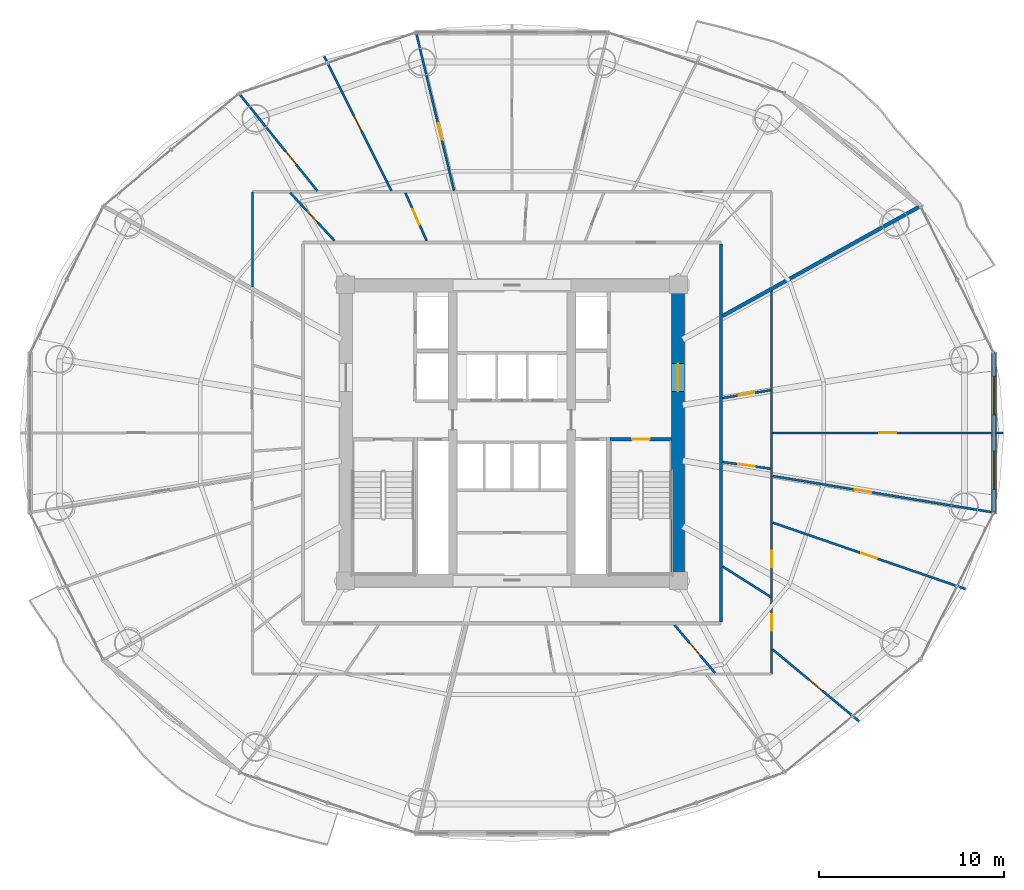
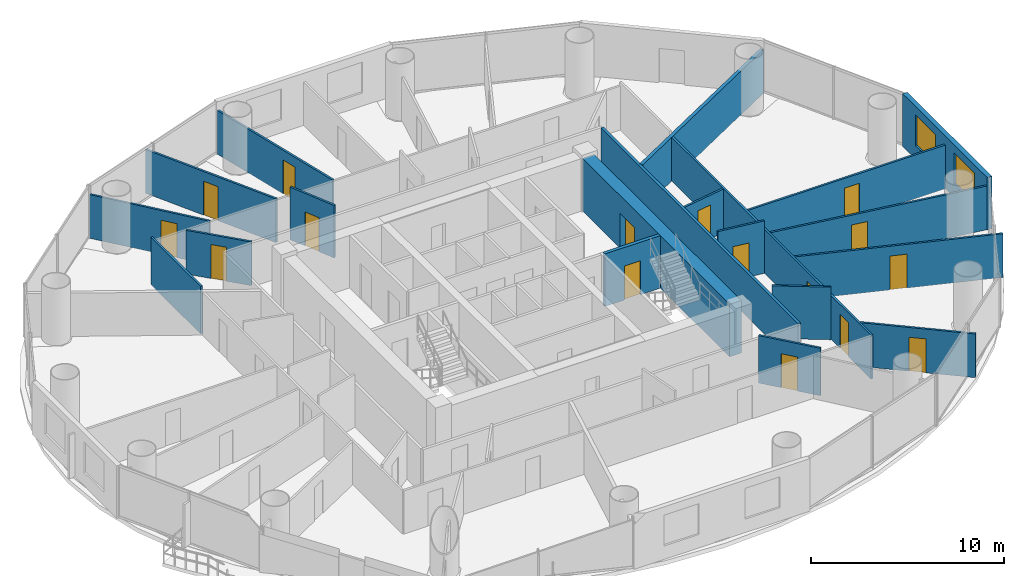
# One storey, part 24 of 29: 20 walls, 16 doors, 2 windows, 18 openings.
"""IFC4 building model written with IfcOpenShell, lengths in metres."""

from ifc_helpers import new_model, si_unit, direction, frame, frame_2d, origin, place, context, subcontext, project, spatial, rectangle, extrude, source, transform, mapped, material, layer, layer_set, type_object, element, fill, save


model = new_model("IFC4")

# Units and contexts
model_context = context("Model", 3, precision=1e-05, world=origin(), true_north=direction((-0.2419218956, 0.970295726276)))
body_context = subcontext(model_context, "Body", "Model", "MODEL_VIEW")
ifc_project = project(units=[si_unit("LENGTHUNIT", "METRE"), si_unit("AREAUNIT", "SQUARE_METRE"), si_unit("VOLUMEUNIT", "CUBIC_METRE"), si_unit("PLANEANGLEUNIT", "RADIAN"), si_unit("MASSUNIT", "GRAM", prefix="KILO")], contexts=[model_context])

# Site, building, storey
site_placement = place(None, origin())
site = spatial("IfcSite", under=ifc_project, at=site_placement, CompositionType="ELEMENT")
building_placement = place(site_placement, origin())
building = spatial("IfcBuilding", under=site, at=building_placement, Name="Cobrevalo Terracotta Tower", CompositionType="ELEMENT")
storey_placement = place(building_placement, frame((0.0, 0.0, 90.60009765625)))
storey = spatial("IfcBuildingStorey", under=building, at=storey_placement, Name="L23", CompositionType="ELEMENT", Elevation=90.60009765625)

# Wall, opening, door
ifc_material_1 = material(Name="Concrete C60", Category="concrete")
ifc_layer_1 = layer(ifc_material_1, 0.699951171875)
ifc_layer_set_1 = layer_set([ifc_layer_1], Name="Concrete C60")
wall_type_1 = type_object("IfcWallType", Name="Core shear wall 700 mm Concrete C60", PredefinedType="SHEAR", material=ifc_layer_set_1)
wall_1_placement = place(storey_placement, frame((46.97509765625, 19.175048828125, 0.0), z_axis=(0.0, 0.0, 1.0), x_axis=(0.0, 1.0, 0.0)))
wall_1 = element("IfcWall", 1, at=wall_1_placement, inside=storey, type_object=wall_type_1, Name="L23 east core shear wall", PredefinedType="SHEAR", context=body_context, shape_type="SweptSolid", body=[
    extrude(rectangle(XDim=15.25, YDim=0.699951171875, at=frame_2d((7.625, 0.0))), origin(), (0.0, 0.0, 1.0), 3.324951171875),
])
opening_1_placement = place(wall_1_placement, frame((9.875, 0.0, 0.0)))
opening_1 = element("IfcOpeningElement", 2, at=opening_1_placement, cuts=wall_1, Name="Opening ID-14", PredefinedType="OPENING", context=body_context, shape_type="SweptSolid", body=[
    extrude(rectangle(XDim=1.5, YDim=2.199951171875, at=frame_2d((0.75, 1.10009765625))), frame((0.0, 0.35986328125, 0.0), z_axis=(0.0, -1.0, 0.0), x_axis=(1.0, 0.0, 0.0)), (0.0, 0.0, 1.0), 0.719970703125),
])
ifc_material_2 = material(Name="Galvanized fire-rated steel", Category="steel")
door_type_1 = type_object("IfcDoorType", Name="Core cross-lobby double fire door 1500x2200 EI 90", OperationType="NOTDEFINED", PredefinedType="DOOR", material=ifc_material_2)
shared_shape_1 = source(origin(), body_context, "Body", "SweptSolid", [
    extrude(rectangle(XDim=1.5, YDim=2.199951171875, at=frame_2d((0.75, 1.10009765625))), frame((0.0, 0.02490234375, 0.0), z_axis=(0.0, -1.0, 0.0), x_axis=(1.0, 0.0, 0.0)), (0.0, 0.0, 1.0), 0.050048828125),
])
door_1_placement = place(opening_1_placement, frame((1.5, 0.0, 0.0), z_axis=(0.0, 0.0, 1.0), x_axis=(-1.0, 0.0, 0.0)))
door_1 = element("IfcDoor", 3, at=door_1_placement, inside=storey, type_object=door_type_1, Name="L23 east firefighting lobby entrance door", OperationType="DOUBLE_DOOR_SINGLE_SWING", OverallHeight=2.199951171875, OverallWidth=1.5, PredefinedType="DOOR", context=body_context, shape_type="MappedRepresentation", body=[
    mapped(shared_shape_1, transform((0.0, 0.0, 0.0), scale=1.0)),
])
fill(opening_1, door_1)

# Walls
ifc_material_3 = material(Name="Gypsum board on steel stud", Category="steel")
ifc_layer_2 = layer(ifc_material_3, 0.159912109375)
ifc_layer_set_2 = layer_set([ifc_layer_2], Name="Gypsum board on steel stud")
wall_type_2 = type_object("IfcWallType", Name="Fire-rated corridor acoustic partition wall 160 mm", PredefinedType="PARTITIONING", material=ifc_layer_set_2)
wall_2_placement = place(storey_placement, frame((49.304931640625, 16.574951171875, 0.0), z_axis=(0.0, 0.0, 1.0), x_axis=(0.0, 1.0, 0.0)))
element("IfcWall", 4, at=wall_2_placement, inside=storey, type_object=wall_type_2, Name="L23 interior partition IW-L23-COR-E", PredefinedType="PARTITIONING", context=body_context, shape_type="SweptSolid", body=[
    extrude(rectangle(XDim=20.449951171875, YDim=0.159912109375, at=frame_2d((10.22509765625, 0.0))), origin(), (0.0, 0.0, 1.0), 2.766845703125),
])
ifc_material_4 = material(Name="Autoclaved aerated concrete block", Category="concrete")
ifc_layer_3 = layer(ifc_material_4, 0.199951171875)
ifc_layer_set_3 = layer_set([ifc_layer_3], Name="Autoclaved aerated concrete block")
wall_type_3 = type_object("IfcWallType", Name="Fire-rated stair, shaft & demising masonry wall 200 mm", PredefinedType="PARTITIONING", material=ifc_layer_set_3)
wall_3_placement = place(storey_placement, frame((49.38671875, 33.121337890625, 0.0), z_axis=(0.0, 0.0, 1.0), x_axis=(0.874320165728, 0.485349613992, 0.0)))
element("IfcWall", 5, at=wall_3_placement, inside=storey, type_object=wall_type_3, Name="L23 interior partition IW-L23-DEM-1", PredefinedType="PARTITIONING", context=body_context, shape_type="SweptSolid", body=[
    extrude(rectangle(XDim=12.156494140625, YDim=0.199951171875, at=frame_2d((6.078125, 0.0))), origin(), (0.0, 0.0, 1.0), 2.766845703125),
])

# Wall, openings, windows
ifc_layer_4 = layer(ifc_material_4, 0.280029296875)
ifc_layer_set_4 = layer_set([ifc_layer_4], Name="Autoclaved aerated concrete block")
wall_type_4 = type_object("IfcWallType", Name="Insulated tower spandrel & pier wall 280 mm with terracotta rainscreen", PredefinedType="SOLIDWALL", material=ifc_layer_set_4)
wall_4_placement = place(storey_placement, frame((64.0595703125, 22.414306640625, 0.0), z_axis=(0.0, 0.0, 1.0), x_axis=(0.0, 1.0, 0.0)))
wall_4 = element("IfcWall", 6, at=wall_4_placement, inside=storey, type_object=wall_type_4, Name="L23 terracotta rainscreen pier wall S16", PredefinedType="SOLIDWALL", context=body_context, shape_type="SweptSolid", body=[
    extrude(rectangle(XDim=8.771240234375, YDim=0.280029296875, at=frame_2d((4.3857421875, 0.0))), origin(), (0.0, 0.0, 1.0), 3.324951171875),
])
opening_2_placement = place(wall_4_placement, frame((1.318115234375, 0.0, 0.85009765625)))
opening_2 = element("IfcOpeningElement", 7, at=opening_2_placement, cuts=wall_4, Name="Opening WN-10", PredefinedType="OPENING", context=body_context, shape_type="SweptSolid", body=[
    extrude(rectangle(XDim=2.10009765625, YDim=1.949951171875, at=frame_2d((1.050048828125, 0.97509765625))), frame((0.0, 0.14990234375, 0.0), z_axis=(0.0, -1.0, 0.0), x_axis=(1.0, 0.0, 0.0)), (0.0, 0.0, 1.0), 0.300048828125),
])
opening_3_placement = place(wall_4_placement, frame((5.35302734375, 0.0, 0.85009765625)))
opening_3 = element("IfcOpeningElement", 8, at=opening_3_placement, cuts=wall_4, Name="Opening WN-10", PredefinedType="OPENING", context=body_context, shape_type="SweptSolid", body=[
    extrude(rectangle(XDim=2.10009765625, YDim=1.949951171875, at=frame_2d((1.050048828125, 0.97509765625))), frame((0.0, 0.14990234375, 0.0), z_axis=(0.0, -1.0, 0.0), x_axis=(1.0, 0.0, 0.0)), (0.0, 0.0, 1.0), 0.300048828125),
])
ifc_material_5 = material(Name="Solar-control low-E double glazing", Category="glass")
window_type = type_object("IfcWindowType", Name="Wide panoramic low-E aluminium window 2100x1950", PartitioningType="SINGLE_PANEL", PredefinedType="WINDOW", material=ifc_material_5)
shared_shape_2 = source(origin(), body_context, "Body", "SweptSolid", [
    extrude(rectangle(XDim=2.10009765625, YDim=1.949951171875, at=frame_2d((1.050048828125, 0.97509765625))), frame((0.0, 0.030029296875, 0.0), z_axis=(0.0, -1.0, 0.0), x_axis=(1.0, 0.0, 0.0)), (0.0, 0.0, 1.0), 0.06005859375),
])
window_1_placement = place(opening_2_placement, origin())
window_1 = element("IfcWindow", 9, at=window_1_placement, inside=storey, type_object=window_type, Name="L23 suite window S16A", OverallHeight=1.949951171875, OverallWidth=2.10009765625, PartitioningType="SINGLE_PANEL", PredefinedType="WINDOW", context=body_context, shape_type="MappedRepresentation", body=[
    mapped(shared_shape_2, transform((0.0, 0.0, 0.0), scale=1.0)),
])
fill(opening_2, window_1)
window_2_placement = place(opening_3_placement, origin())
window_2 = element("IfcWindow", 10, at=window_2_placement, inside=storey, type_object=window_type, Name="L23 suite window S16B", OverallHeight=1.949951171875, OverallWidth=2.10009765625, PartitioningType="SINGLE_PANEL", PredefinedType="WINDOW", context=body_context, shape_type="MappedRepresentation", body=[
    mapped(shared_shape_2, transform((0.0, 0.0, 0.0), scale=1.0)),
])
fill(opening_3, window_2)

# Wall
ifc_layer_5 = layer(ifc_material_3, 0.1201171875)
ifc_layer_set_5 = layer_set([ifc_layer_5], Name="Gypsum board on steel stud")
wall_type_5 = type_object("IfcWallType", Name="Residential internal acoustic stud partition 120 mm", PredefinedType="PARTITIONING", material=ifc_layer_set_5)
wall_5_placement = place(storey_placement, frame((23.965087890625, 34.693359375, 0.0), z_axis=(0.0, 0.0, 1.0), x_axis=(0.0, 1.0, 0.0)))
element("IfcWall", 11, at=wall_5_placement, inside=storey, type_object=wall_type_5, Name="L23 interior partition IW-L23-U1-RING0_0", PredefinedType="PARTITIONING", context=body_context, shape_type="SweptSolid", body=[
    extrude(rectangle(XDim=5.1416015625, YDim=0.1201171875, at=frame_2d((2.57080078125, 0.0))), origin(), (0.0, 0.0, 1.0), 3.00390625),
])

# Wall, opening, door
wall_6_placement = place(storey_placement, frame((34.86474609375, 39.895263671875, 0.0), z_axis=(0.0, 0.0, 1.0), x_axis=(-0.23282725047, 0.97251810854, 0.0)))
wall_6 = element("IfcWall", 12, at=wall_6_placement, inside=storey, type_object=wall_type_5, Name="L23 interior partition IW-L23-U1-ORAD3", PredefinedType="PARTITIONING", context=body_context, shape_type="SweptSolid", body=[
    extrude(rectangle(XDim=8.71484375, YDim=0.1201171875, at=frame_2d((4.357421875, 0.0))), origin(), (0.0, 0.0, 1.0), 2.766845703125),
])
opening_4_placement = place(wall_6_placement, frame((2.830078125, 0.0, 0.0)))
opening_4 = element("IfcOpeningElement", 13, at=opening_4_placement, cuts=wall_6, Name="Opening ID-12", PredefinedType="OPENING", context=body_context, shape_type="SweptSolid", body=[
    extrude(rectangle(XDim=0.89990234375, YDim=2.14990234375, at=frame_2d((0.449951171875, 1.074951171875))), frame((0.0, 0.070068359375, 0.0), z_axis=(0.0, -1.0, 0.0), x_axis=(1.0, 0.0, 0.0)), (0.0, 0.0, 1.0), 0.14013671875),
])
ifc_material_6 = material(Name="Engineered timber", Category="wood")
door_type_2 = type_object("IfcDoorType", Name="Internal residence & suite timber door 900x2150", OperationType="NOTDEFINED", PredefinedType="DOOR", material=ifc_material_6)
shared_shape_3 = source(origin(), body_context, "Body", "SweptSolid", [
    extrude(rectangle(XDim=0.89990234375, YDim=2.14990234375, at=frame_2d((0.449951171875, 1.074951171875))), frame((0.0, 0.02490234375, 0.0), z_axis=(0.0, -1.0, 0.0), x_axis=(1.0, 0.0, 0.0)), (0.0, 0.0, 1.0), 0.050048828125),
])
door_2_placement = place(opening_4_placement, origin())
door_2 = element("IfcDoor", 14, at=door_2_placement, inside=storey, type_object=door_type_2, Name="Flat L23A South Bedroom internal door", OperationType="SINGLE_SWING_LEFT", OverallHeight=2.14990234375, OverallWidth=0.89990234375, PredefinedType="DOOR", context=body_context, shape_type="MappedRepresentation", body=[
    mapped(shared_shape_3, transform((0.0, 0.0, 0.0), scale=1.0)),
])
fill(opening_4, door_2)

wall_7_placement = place(storey_placement, frame((31.4736328125, 39.890380859375, 0.0), z_axis=(0.0, 0.0, 1.0), x_axis=(-0.446167584581, 0.894949432353, 0.0)))
wall_7 = element("IfcWall", 15, at=wall_7_placement, inside=storey, type_object=wall_type_5, Name="L23 interior partition IW-L23-U1-ORAD4M1", PredefinedType="PARTITIONING", context=body_context, shape_type="SweptSolid", body=[
    extrude(rectangle(XDim=8.124755859375, YDim=0.1201171875, at=frame_2d((4.0625, 0.0))), origin(), (0.0, 0.0, 1.0), 2.766845703125),
])
opening_5_placement = place(wall_7_placement, frame((3.6123046875, 0.0, 0.0)))
opening_5 = element("IfcOpeningElement", 16, at=opening_5_placement, cuts=wall_7, Name="Opening ID-12", PredefinedType="OPENING", context=body_context, shape_type="SweptSolid", body=[
    extrude(rectangle(XDim=0.89990234375, YDim=2.14990234375, at=frame_2d((0.449951171875, 1.074951171875))), frame((0.0, 0.070068359375, 0.0), z_axis=(0.0, -1.0, 0.0), x_axis=(1.0, 0.0, 0.0)), (0.0, 0.0, 1.0), 0.14013671875),
])
door_3_placement = place(opening_5_placement, origin())
door_3 = element("IfcDoor", 17, at=door_3_placement, inside=storey, type_object=door_type_2, Name="Flat L23A Penthouse Family Lounge internal door", OperationType="SINGLE_SWING_RIGHT", OverallHeight=2.14990234375, OverallWidth=0.89990234375, PredefinedType="DOOR", context=body_context, shape_type="MappedRepresentation", body=[
    mapped(shared_shape_3, transform((0.0, 0.0, 0.0), scale=1.0)),
])
fill(opening_5, door_3)

wall_8_placement = place(storey_placement, frame((27.47802734375, 39.88330078125, 0.0), z_axis=(0.0, 0.0, 1.0), x_axis=(-0.62672583251, 0.779239841682, 0.0)))
wall_8 = element("IfcWall", 18, at=wall_8_placement, inside=storey, type_object=wall_type_5, Name="L23 interior partition IW-L23-U1-ORAD4", PredefinedType="PARTITIONING", context=body_context, shape_type="SweptSolid", body=[
    extrude(rectangle(XDim=6.678466796875, YDim=0.1201171875, at=frame_2d((3.33935546875, 0.0))), origin(), (0.0, 0.0, 1.0), 2.766845703125),
])
opening_6_placement = place(wall_8_placement, frame((1.8212890625, 0.0, 0.0)))
opening_6 = element("IfcOpeningElement", 19, at=opening_6_placement, cuts=wall_8, Name="Opening ID-12", PredefinedType="OPENING", context=body_context, shape_type="SweptSolid", body=[
    extrude(rectangle(XDim=0.89990234375, YDim=2.14990234375, at=frame_2d((0.449951171875, 1.074951171875))), frame((0.0, 0.070068359375, 0.0), z_axis=(0.0, -1.0, 0.0), x_axis=(1.0, 0.0, 0.0)), (0.0, 0.0, 1.0), 0.14013671875),
])
door_4_placement = place(opening_6_placement, origin())
door_4 = element("IfcDoor", 20, at=door_4_placement, inside=storey, type_object=door_type_2, Name="Flat L23A Penthouse Family Lounge internal door", OperationType="SINGLE_SWING_LEFT", OverallHeight=2.14990234375, OverallWidth=0.89990234375, PredefinedType="DOOR", context=body_context, shape_type="MappedRepresentation", body=[
    mapped(shared_shape_3, transform((0.0, 0.0, 0.0), scale=1.0)),
])
fill(opening_6, door_4)

wall_9_placement = place(storey_placement, frame((33.388671875, 37.18505859375, 0.0), z_axis=(0.0, 0.0, 1.0), x_axis=(-0.40585903307, 0.913935689902, 0.0)))
wall_9 = element("IfcWall", 21, at=wall_9_placement, inside=storey, type_object=wall_type_5, Name="L23 interior partition IW-L23-U1-IRAD4", PredefinedType="PARTITIONING", context=body_context, shape_type="SweptSolid", body=[
    extrude(rectangle(XDim=2.83740234375, YDim=0.1201171875, at=frame_2d((1.418701171875, 0.0))), origin(), (0.0, 0.0, 1.0), 3.324951171875),
])
opening_7_placement = place(wall_9_placement, frame((0.96875, 0.0, 0.0)))
opening_7 = element("IfcOpeningElement", 22, at=opening_7_placement, cuts=wall_9, Name="Opening ID-12", PredefinedType="OPENING", context=body_context, shape_type="SweptSolid", body=[
    extrude(rectangle(XDim=0.89990234375, YDim=2.14990234375, at=frame_2d((0.449951171875, 1.074951171875))), frame((0.0, 0.070068359375, 0.0), z_axis=(0.0, -1.0, 0.0), x_axis=(1.0, 0.0, 0.0)), (0.0, 0.0, 1.0), 0.14013671875),
])
door_5_placement = place(opening_7_placement, origin())
door_5 = element("IfcDoor", 23, at=door_5_placement, inside=storey, type_object=door_type_2, Name="Flat L23A Private Wellness Room internal door", OperationType="SINGLE_SWING_RIGHT", OverallHeight=2.14990234375, OverallWidth=0.89990234375, PredefinedType="DOOR", context=body_context, shape_type="MappedRepresentation", body=[
    mapped(shared_shape_3, transform((0.0, 0.0, 0.0), scale=1.0)),
])
fill(opening_7, door_5)

wall_10_placement = place(storey_placement, frame((28.40869140625, 37.18505859375, 0.0), z_axis=(0.0, 0.0, 1.0), x_axis=(-0.678451695105, 0.734645014554, 0.0)))
wall_10 = element("IfcWall", 24, at=wall_10_placement, inside=storey, type_object=wall_type_5, Name="L23 interior partition IW-L23-U1-IRAD5", PredefinedType="PARTITIONING", context=body_context, shape_type="SweptSolid", body=[
    extrude(rectangle(XDim=3.545166015625, YDim=0.1201171875, at=frame_2d((1.7724609375, 0.0))), origin(), (0.0, 0.0, 1.0), 2.766845703125),
])
opening_8_placement = place(wall_10_placement, frame((1.342529296875, 0.0, 0.0)))
opening_8 = element("IfcOpeningElement", 25, at=opening_8_placement, cuts=wall_10, Name="Opening ID-19", PredefinedType="OPENING", context=body_context, shape_type="SweptSolid", body=[
    extrude(rectangle(XDim=0.860107421875, YDim=2.14990234375, at=frame_2d((0.43017578125, 1.074951171875))), frame((0.0, 0.070068359375, 0.0), z_axis=(0.0, -1.0, 0.0), x_axis=(1.0, 0.0, 0.0)), (0.0, 0.0, 1.0), 0.14013671875),
])
ifc_material_7 = material(Name="Moisture-sealed timber", Category="wood")
door_type_3 = type_object("IfcDoorType", Name="Suite bathroom internal timber door 860x2150", OperationType="NOTDEFINED", PredefinedType="DOOR", material=ifc_material_7)
shared_shape_4 = source(origin(), body_context, "Body", "SweptSolid", [
    extrude(rectangle(XDim=0.860107421875, YDim=2.14990234375, at=frame_2d((0.43017578125, 1.074951171875))), frame((0.0, 0.02490234375, 0.0), z_axis=(0.0, -1.0, 0.0), x_axis=(1.0, 0.0, 0.0)), (0.0, 0.0, 1.0), 0.050048828125),
])
door_6_placement = place(opening_8_placement, origin())
door_6 = element("IfcDoor", 26, at=door_6_placement, inside=storey, type_object=door_type_3, Name="Flat L23A Guest Bathroom internal door", OperationType="SINGLE_SWING_LEFT", OverallHeight=2.14990234375, OverallWidth=0.860107421875, PredefinedType="DOOR", context=body_context, shape_type="MappedRepresentation", body=[
    mapped(shared_shape_4, transform((0.0, 0.0, 0.0), scale=1.0)),
])
fill(opening_8, door_6)

# Wall, openings, doors
wall_11_placement = place(storey_placement, frame((52.034912109375, 34.489501953125, 0.0), z_axis=(0.0, 0.0, 1.0), x_axis=(0.0, -1.0, 0.0)))
wall_11 = element("IfcWall", 27, at=wall_11_placement, inside=storey, type_object=wall_type_5, Name="L23 interior partition IW-L23-U3-RING0_0", PredefinedType="PARTITIONING", context=body_context, shape_type="SweptSolid", body=[
    extrude(rectangle(XDim=20.724609375, YDim=0.1201171875, at=frame_2d((10.3623046875, 0.0))), origin(), (0.0, 0.0, 1.0), 2.766845703125),
])
opening_9_placement = place(wall_11_placement, frame((17.4931640625, 0.0, 0.0)))
opening_9 = element("IfcOpeningElement", 28, at=opening_9_placement, cuts=wall_11, Name="Opening ID-12", PredefinedType="OPENING", context=body_context, shape_type="SweptSolid", body=[
    extrude(rectangle(XDim=0.89990234375, YDim=2.14990234375, at=frame_2d((0.449951171875, 1.074951171875))), frame((0.0, 0.070068359375, 0.0), z_axis=(0.0, -1.0, 0.0), x_axis=(1.0, 0.0, 0.0)), (0.0, 0.0, 1.0), 0.14013671875),
])
opening_10_placement = place(wall_11_placement, frame((14.06396484375, 0.0, 0.0)))
opening_10 = element("IfcOpeningElement", 29, at=opening_10_placement, cuts=wall_11, Name="Opening ID-12", PredefinedType="OPENING", context=body_context, shape_type="SweptSolid", body=[
    extrude(rectangle(XDim=0.89990234375, YDim=2.14990234375, at=frame_2d((0.449951171875, 1.074951171875))), frame((0.0, 0.070068359375, 0.0), z_axis=(0.0, -1.0, 0.0), x_axis=(1.0, 0.0, 0.0)), (0.0, 0.0, 1.0), 0.14013671875),
])
door_7_placement = place(opening_9_placement, origin())
door_7 = element("IfcDoor", 30, at=door_7_placement, inside=storey, type_object=door_type_2, Name="Flat L23C Penthouse Family Lounge internal door", OperationType="SINGLE_SWING_RIGHT", OverallHeight=2.14990234375, OverallWidth=0.89990234375, PredefinedType="DOOR", context=body_context, shape_type="MappedRepresentation", body=[
    mapped(shared_shape_3, transform((0.0, 0.0, 0.0), scale=1.0)),
])
fill(opening_9, door_7)
door_8_placement = place(opening_10_placement, frame((0.89990234375, 0.0, 0.0), z_axis=(0.0, 0.0, 1.0), x_axis=(-1.0, 0.0, 0.0)))
door_8 = element("IfcDoor", 31, at=door_8_placement, inside=storey, type_object=door_type_2, Name="Flat L23C Utility Closet internal door", OperationType="SINGLE_SWING_LEFT", OverallHeight=2.14990234375, OverallWidth=0.89990234375, PredefinedType="DOOR", context=body_context, shape_type="MappedRepresentation", body=[
    mapped(shared_shape_3, transform((0.0, 0.0, 0.0), scale=1.0)),
])
fill(opening_10, door_8)

# Wall, opening, door
wall_12_placement = place(storey_placement, frame((52.082763671875, 15.099609375, 0.0), z_axis=(0.0, 0.0, 1.0), x_axis=(0.769161827891, -0.63905405289, 0.0)))
wall_12 = element("IfcWall", 32, at=wall_12_placement, inside=storey, type_object=wall_type_5, Name="L23 interior partition IW-L23-U3-ORAD2M1", PredefinedType="PARTITIONING", context=body_context, shape_type="SweptSolid", body=[
    extrude(rectangle(XDim=6.07958984375, YDim=0.1201171875, at=frame_2d((3.039794921875, 0.0))), origin(), (0.0, 0.0, 1.0), 2.766845703125),
])
opening_11_placement = place(wall_12_placement, frame((2.58984375, 0.0, 0.0)))
opening_11 = element("IfcOpeningElement", 33, at=opening_11_placement, cuts=wall_12, Name="Opening ID-12", PredefinedType="OPENING", context=body_context, shape_type="SweptSolid", body=[
    extrude(rectangle(XDim=0.89990234375, YDim=2.14990234375, at=frame_2d((0.449951171875, 1.074951171875))), frame((0.0, 0.070068359375, 0.0), z_axis=(0.0, -1.0, 0.0), x_axis=(1.0, 0.0, 0.0)), (0.0, 0.0, 1.0), 0.14013671875),
])
door_9_placement = place(opening_11_placement, frame((0.89990234375, 0.0, 0.0), z_axis=(0.0, 0.0, 1.0), x_axis=(-1.0, 0.0, 0.0)))
door_9 = element("IfcDoor", 34, at=door_9_placement, inside=storey, type_object=door_type_2, Name="Flat L23C Master Bedroom internal door", OperationType="SINGLE_SWING_RIGHT", OverallHeight=2.14990234375, OverallWidth=0.89990234375, PredefinedType="DOOR", context=body_context, shape_type="MappedRepresentation", body=[
    mapped(shared_shape_3, transform((0.0, 0.0, 0.0), scale=1.0)),
])
fill(opening_11, door_9)

wall_13_placement = place(storey_placement, frame((52.09375, 21.94970703125, 0.0), z_axis=(0.0, 0.0, 1.0), x_axis=(0.945573120726, -0.32540970078, 0.0)))
wall_13 = element("IfcWall", 35, at=wall_13_placement, inside=storey, type_object=wall_type_5, Name="L23 interior partition IW-L23-U3-ORAD2", PredefinedType="PARTITIONING", context=body_context, shape_type="SweptSolid", body=[
    extrude(rectangle(XDim=11.02197265625, YDim=0.1201171875, at=frame_2d((5.510986328125, 0.0))), origin(), (0.0, 0.0, 1.0), 2.766845703125),
])
opening_12_placement = place(wall_13_placement, frame((5.06103515625, 0.0, 0.0)))
opening_12 = element("IfcOpeningElement", 36, at=opening_12_placement, cuts=wall_13, Name="Opening ID-12", PredefinedType="OPENING", context=body_context, shape_type="SweptSolid", body=[
    extrude(rectangle(XDim=0.89990234375, YDim=2.14990234375, at=frame_2d((0.449951171875, 1.074951171875))), frame((0.0, 0.070068359375, 0.0), z_axis=(0.0, -1.0, 0.0), x_axis=(1.0, 0.0, 0.0)), (0.0, 0.0, 1.0), 0.14013671875),
])
door_10_placement = place(opening_12_placement, origin())
door_10 = element("IfcDoor", 37, at=door_10_placement, inside=storey, type_object=door_type_2, Name="Flat L23C Principal Guest Bedroom internal door", OperationType="SINGLE_SWING_LEFT", OverallHeight=2.14990234375, OverallWidth=0.89990234375, PredefinedType="DOOR", context=body_context, shape_type="MappedRepresentation", body=[
    mapped(shared_shape_3, transform((0.0, 0.0, 0.0), scale=1.0)),
])
fill(opening_12, door_10)

wall_14_placement = place(storey_placement, frame((52.09619140625, 24.470458984375, 0.0), z_axis=(0.0, 0.0, 1.0), x_axis=(0.986618264768, -0.163047231274, 0.0)))
wall_14 = element("IfcWall", 38, at=wall_14_placement, inside=storey, type_object=wall_type_5, Name="L23 interior partition IW-L23-U3-ORAD3M1", PredefinedType="PARTITIONING", context=body_context, shape_type="SweptSolid", body=[
    extrude(rectangle(XDim=12.038818359375, YDim=0.1201171875, at=frame_2d((6.01953125, 0.0))), origin(), (0.0, 0.0, 1.0), 2.766845703125),
])
opening_13_placement = place(wall_14_placement, frame((4.495849609375, 0.0, 0.0)))
opening_13 = element("IfcOpeningElement", 39, at=opening_13_placement, cuts=wall_14, Name="Opening ID-12", PredefinedType="OPENING", context=body_context, shape_type="SweptSolid", body=[
    extrude(rectangle(XDim=0.89990234375, YDim=2.14990234375, at=frame_2d((0.449951171875, 1.074951171875))), frame((0.0, 0.070068359375, 0.0), z_axis=(0.0, -1.0, 0.0), x_axis=(1.0, 0.0, 0.0)), (0.0, 0.0, 1.0), 0.14013671875),
])
door_11_placement = place(opening_13_placement, origin())
door_11 = element("IfcDoor", 40, at=door_11_placement, inside=storey, type_object=door_type_2, Name="Flat L23C Principal Guest Bedroom internal door", OperationType="SINGLE_SWING_RIGHT", OverallHeight=2.14990234375, OverallWidth=0.89990234375, PredefinedType="DOOR", context=body_context, shape_type="MappedRepresentation", body=[
    mapped(shared_shape_3, transform((0.0, 0.0, 0.0), scale=1.0)),
])
fill(opening_13, door_11)

wall_15_placement = place(storey_placement, frame((52.096923828125, 26.800048828125, 0.0), z_axis=(0.0, 0.0, 1.0), x_axis=(1.0, 0.0, 0.0)))
wall_15 = element("IfcWall", 41, at=wall_15_placement, inside=storey, type_object=wall_type_5, Name="L23 interior partition IW-L23-U3-ORAD3", PredefinedType="PARTITIONING", context=body_context, shape_type="SweptSolid", body=[
    extrude(rectangle(XDim=12.443115234375, YDim=0.1201171875, at=frame_2d((6.2216796875, 0.0))), origin(), (0.0, 0.0, 1.0), 2.766845703125),
])
opening_14_placement = place(wall_15_placement, frame((5.771484375, 0.0, 0.0)))
opening_14 = element("IfcOpeningElement", 42, at=opening_14_placement, cuts=wall_15, Name="Opening ID-12", PredefinedType="OPENING", context=body_context, shape_type="SweptSolid", body=[
    extrude(rectangle(XDim=0.89990234375, YDim=2.14990234375, at=frame_2d((0.449951171875, 1.074951171875))), frame((0.0, 0.070068359375, 0.0), z_axis=(0.0, -1.0, 0.0), x_axis=(1.0, 0.0, 0.0)), (0.0, 0.0, 1.0), 0.14013671875),
])
door_12_placement = place(opening_14_placement, origin())
door_12 = element("IfcDoor", 43, at=door_12_placement, inside=storey, type_object=door_type_2, Name="Flat L23C Penthouse Family Lounge internal door", OperationType="SINGLE_SWING_LEFT", OverallHeight=2.14990234375, OverallWidth=0.89990234375, PredefinedType="DOOR", context=body_context, shape_type="MappedRepresentation", body=[
    mapped(shared_shape_3, transform((0.0, 0.0, 0.0), scale=1.0)),
])
fill(opening_14, door_12)

wall_16_placement = place(storey_placement, frame((46.784912109375, 16.4150390625, 0.0), z_axis=(0.0, 0.0, 1.0), x_axis=(0.64582345164, -0.76348678398, 0.0)))
wall_16 = element("IfcWall", 44, at=wall_16_placement, inside=storey, type_object=wall_type_5, Name="L23 interior partition IW-L23-U3-IRAD2", PredefinedType="PARTITIONING", context=body_context, shape_type="SweptSolid", body=[
    extrude(rectangle(XDim=3.4091796875, YDim=0.1201171875, at=frame_2d((1.70458984375, 0.0))), origin(), (0.0, 0.0, 1.0), 3.00390625),
])
opening_15_placement = place(wall_16_placement, frame((1.25439453125, 0.0, 0.0)))
opening_15 = element("IfcOpeningElement", 45, at=opening_15_placement, cuts=wall_16, Name="Opening ID-12", PredefinedType="OPENING", context=body_context, shape_type="SweptSolid", body=[
    extrude(rectangle(XDim=0.89990234375, YDim=2.14990234375, at=frame_2d((0.449951171875, 1.074951171875))), frame((0.0, 0.070068359375, 0.0), z_axis=(0.0, -1.0, 0.0), x_axis=(1.0, 0.0, 0.0)), (0.0, 0.0, 1.0), 0.14013671875),
])
door_13_placement = place(opening_15_placement, origin())
door_13 = element("IfcDoor", 46, at=door_13_placement, inside=storey, type_object=door_type_2, Name="Flat L23C Kitchen internal door", OperationType="SINGLE_SWING_LEFT", OverallHeight=2.14990234375, OverallWidth=0.89990234375, PredefinedType="DOOR", context=body_context, shape_type="MappedRepresentation", body=[
    mapped(shared_shape_3, transform((0.0, 0.0, 0.0), scale=1.0)),
])
fill(opening_15, door_13)

# Wall
wall_17_placement = place(storey_placement, frame((49.38671875, 19.580078125, 0.0), z_axis=(0.0, 0.0, 1.0), x_axis=(0.844540118368, -0.535492286094, 0.0)))
element("IfcWall", 47, at=wall_17_placement, inside=storey, type_object=wall_type_5, Name="L23 interior partition IW-L23-U3-IRAD3", PredefinedType="PARTITIONING", context=body_context, shape_type="SweptSolid", body=[
    extrude(rectangle(XDim=3.07373046875, YDim=0.1201171875, at=frame_2d((1.536865234375, 0.0))), origin(), (0.0, 0.0, 1.0), 3.324951171875),
])

# Wall, opening, door
wall_18_placement = place(storey_placement, frame((49.386962890625, 25.225341796875, 0.0), z_axis=(0.0, 0.0, 1.0), x_axis=(0.990575253555, -0.136969584375, 0.0)))
wall_18 = element("IfcWall", 48, at=wall_18_placement, inside=storey, type_object=wall_type_5, Name="L23 interior partition IW-L23-U3-IRAD4", PredefinedType="PARTITIONING", context=body_context, shape_type="SweptSolid", body=[
    extrude(rectangle(XDim=2.611328125, YDim=0.1201171875, at=frame_2d((1.3056640625, 0.0))), origin(), (0.0, 0.0, 1.0), 3.324951171875),
])
opening_16_placement = place(wall_18_placement, frame((0.855712890625, 0.0, 0.0)))
opening_16 = element("IfcOpeningElement", 49, at=opening_16_placement, cuts=wall_18, Name="Opening ID-12", PredefinedType="OPENING", context=body_context, shape_type="SweptSolid", body=[
    extrude(rectangle(XDim=0.89990234375, YDim=2.14990234375, at=frame_2d((0.449951171875, 1.074951171875))), frame((0.0, 0.070068359375, 0.0), z_axis=(0.0, -1.0, 0.0), x_axis=(1.0, 0.0, 0.0)), (0.0, 0.0, 1.0), 0.14013671875),
])
door_14_placement = place(opening_16_placement, origin())
door_14 = element("IfcDoor", 50, at=door_14_placement, inside=storey, type_object=door_type_2, Name="Flat L23C Private Wellness Room internal door", OperationType="SINGLE_SWING_RIGHT", OverallHeight=2.14990234375, OverallWidth=0.89990234375, PredefinedType="DOOR", context=body_context, shape_type="MappedRepresentation", body=[
    mapped(shared_shape_3, transform((0.0, 0.0, 0.0), scale=1.0)),
])
fill(opening_16, door_14)

wall_19_placement = place(storey_placement, frame((49.386962890625, 28.681884765625, 0.0), z_axis=(0.0, 0.0, 1.0), x_axis=(0.986619477472, 0.163039892889, 0.0)))
wall_19 = element("IfcWall", 51, at=wall_19_placement, inside=storey, type_object=wall_type_5, Name="L23 interior partition IW-L23-U3-IRAD5", PredefinedType="PARTITIONING", context=body_context, shape_type="SweptSolid", body=[
    extrude(rectangle(XDim=2.6220703125, YDim=0.1201171875, at=frame_2d((1.31103515625, 0.0))), origin(), (0.0, 0.0, 1.0), 2.766845703125),
])
opening_17_placement = place(wall_19_placement, frame((0.881103515625, 0.0, 0.0)))
opening_17 = element("IfcOpeningElement", 52, at=opening_17_placement, cuts=wall_19, Name="Opening ID-19", PredefinedType="OPENING", context=body_context, shape_type="SweptSolid", body=[
    extrude(rectangle(XDim=0.860107421875, YDim=2.14990234375, at=frame_2d((0.43017578125, 1.074951171875))), frame((0.0, 0.070068359375, 0.0), z_axis=(0.0, -1.0, 0.0), x_axis=(1.0, 0.0, 0.0)), (0.0, 0.0, 1.0), 0.14013671875),
])
door_15_placement = place(opening_17_placement, origin())
door_15 = element("IfcDoor", 53, at=door_15_placement, inside=storey, type_object=door_type_3, Name="Flat L23C Guest Bathroom internal door", OperationType="SINGLE_SWING_LEFT", OverallHeight=2.14990234375, OverallWidth=0.860107421875, PredefinedType="DOOR", context=body_context, shape_type="MappedRepresentation", body=[
    mapped(shared_shape_4, transform((0.0, 0.0, 0.0), scale=1.0)),
])
fill(opening_17, door_15)

ifc_material_8 = material(Name="Concrete C50", Category="concrete")
ifc_layer_6 = layer(ifc_material_8, 0.199951171875)
ifc_layer_set_6 = layer_set([ifc_layer_6], Name="Concrete C50")
wall_type_6 = type_object("IfcWallType", Name="Structural core & podium stair-shaft RC wall 200 mm Concrete C50", PredefinedType="SOLIDWALL", material=ifc_layer_set_6)
wall_20_placement = place(storey_placement, frame((43.304931640625, 26.449951171875, 0.0), z_axis=(0.0, 0.0, 1.0), x_axis=(1.0, 0.0, 0.0)))
wall_20 = element("IfcWall", 54, at=wall_20_placement, inside=storey, type_object=wall_type_6, Name="L23 ST-2 north structural shaft wall", PredefinedType="SOLIDWALL", context=body_context, shape_type="SweptSolid", body=[
    extrude(rectangle(XDim=3.320068359375, YDim=0.199951171875, at=frame_2d((1.66015625, 0.0))), origin(), (0.0, 0.0, 1.0), 3.324951171875),
])
opening_18_placement = place(wall_20_placement, frame((1.18505859375, 0.0, 0.0)))
opening_18 = element("IfcOpeningElement", 55, at=opening_18_placement, cuts=wall_20, Name="Opening ID-04", PredefinedType="OPENING", context=body_context, shape_type="SweptSolid", body=[
    extrude(rectangle(XDim=0.949951171875, YDim=2.14990234375, at=frame_2d((0.47509765625, 1.074951171875))), frame((0.0, 0.10986328125, 0.0), z_axis=(0.0, -1.0, 0.0), x_axis=(1.0, 0.0, 0.0)), (0.0, 0.0, 1.0), 0.219970703125),
])
door_type_4 = type_object("IfcDoorType", Name="Stair & firefighting lobby fire door 950x2150 EI 90", OperationType="NOTDEFINED", PredefinedType="DOOR", material=ifc_material_2)
shared_shape_5 = source(origin(), body_context, "Body", "SweptSolid", [
    extrude(rectangle(XDim=0.949951171875, YDim=2.14990234375, at=frame_2d((0.47509765625, 1.074951171875))), frame((0.0, 0.02490234375, 0.0), z_axis=(0.0, -1.0, 0.0), x_axis=(1.0, 0.0, 0.0)), (0.0, 0.0, 1.0), 0.050048828125),
])
door_16_placement = place(opening_18_placement, frame((0.949951171875, 0.0, 0.0), z_axis=(0.0, 0.0, 1.0), x_axis=(-1.0, 0.0, 0.0)))
door_16 = element("IfcDoor", 56, at=door_16_placement, inside=storey, type_object=door_type_4, Name="L23 protected stair ST2 fire door", OperationType="SINGLE_SWING_RIGHT", OverallHeight=2.14990234375, OverallWidth=0.949951171875, PredefinedType="DOOR", context=body_context, shape_type="MappedRepresentation", body=[
    mapped(shared_shape_5, transform((0.0, 0.0, 0.0), scale=1.0)),
])
fill(opening_18, door_16)

save(model, "model.ifc")
